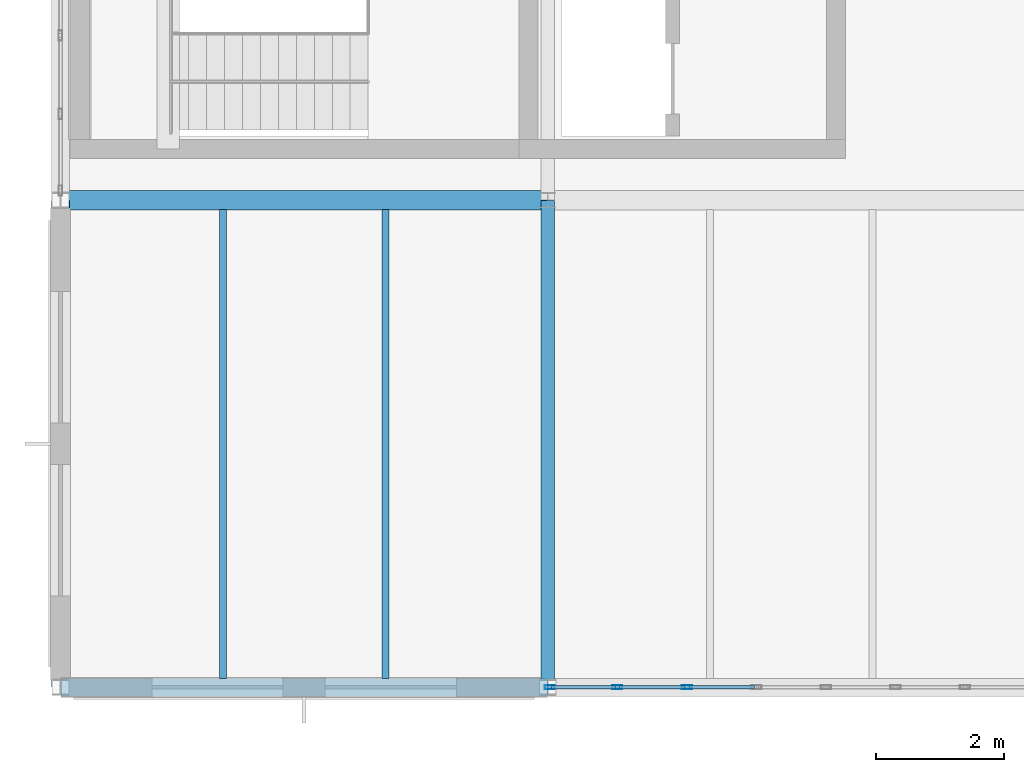
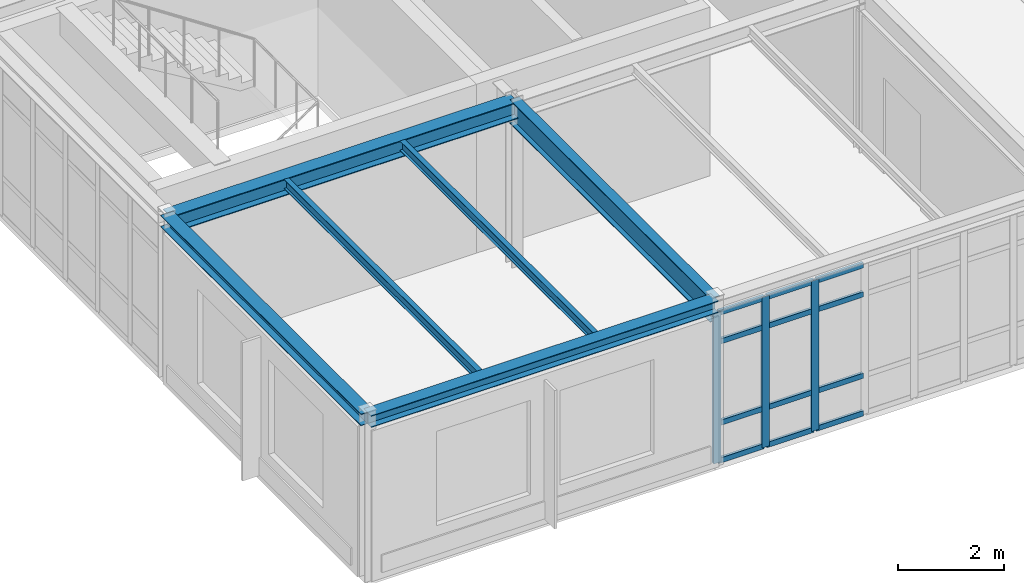
# One storey, part 24 of 189: 15 members, 6 beams, 1 element without a shape of its own.
"""IFC4 building model written with IfcOpenShell, lengths in metres."""

from ifc_helpers import new_model, si_unit, direction, frame, origin, origin_2d, place, context, subcontext, project, spatial, hollow_rectangle, i_section, extrude, material, layer, layer_set, material_profile, profile_set, type_object, element, aggregate, save


model = new_model("IFC4")

# Units and contexts
model_context = context("Model", 3, precision=1e-05, world=origin(), true_north=direction((0.0, 1.0)))
body_context = subcontext(model_context, "Body", "Model", "MODEL_VIEW")
ifc_project = project(units=[si_unit("LENGTHUNIT", "METRE"), si_unit("AREAUNIT", "SQUARE_METRE"), si_unit("VOLUMEUNIT", "CUBIC_METRE"), si_unit("PLANEANGLEUNIT", "RADIAN"), si_unit("MASSUNIT", "GRAM", prefix="KILO")], contexts=[model_context])

# Site, building, storey
site_placement = place(None, origin())
site = spatial("IfcSite", under=ifc_project, at=site_placement, CompositionType="ELEMENT")
building_placement = place(site_placement, origin())
building = spatial("IfcBuilding", under=site, at=building_placement, Name="Montecoro Central Library", CompositionType="ELEMENT")
storey_placement = place(building_placement, frame((0.0, 0.0, 9.179931640625)))
storey = spatial("IfcBuildingStorey", under=building, at=storey_placement, Name="L02", CompositionType="ELEMENT", Elevation=9.179931640625)

# Beams
ifc_material_1 = material(Name="Steel S355", Category="steel")
ifc_material_profile_1 = material_profile(ifc_material_1, i_section(OverallWidth=0.300048828125, OverallDepth=0.389892578125, WebThickness=0.010986328125, FlangeThickness=0.01904296875, at=origin_2d()), Name="HEA 400")
ifc_profile_set_1 = profile_set([ifc_material_profile_1], Name="Steel S355")
beam_type_1 = type_object("IfcBeamType", Name="BM-G-HEA400", PredefinedType="USERDEFINED", material=ifc_profile_set_1)
beam_1_placement = place(storey_placement, frame((5.0048828125, 12.60009765625, 3.630126953125), z_axis=(1.0, 0.0, 0.0), x_axis=(0.0, 1.0, 0.0)))
element("IfcBeam", 1, at=beam_1_placement, inside=storey, type_object=beam_type_1, Name="V3-L02-BX-12-B", ObjectType="GIRDER", PredefinedType="USERDEFINED", context=body_context, shape_type="SweptSolid", body=[
    extrude(i_section(OverallWidth=0.300048828125, OverallDepth=0.389892578125, WebThickness=0.010986328125, FlangeThickness=0.01904296875, at=origin_2d()), origin(), (0.0, 0.0, 1.0), 7.590087890625),
])
ifc_material_2 = material(Name="Steel S355J2", Category="steel")
ifc_material_profile_2 = material_profile(ifc_material_2, i_section(OverallWidth=0.2099609375, OverallDepth=0.550048828125, WebThickness=0.010986328125, FlangeThickness=0.01708984375, at=origin_2d()), Name="IPE 550")
ifc_profile_set_2 = profile_set([ifc_material_profile_2], Name="Steel S355J2")
beam_type_2 = type_object("IfcBeamType", Name="BM-G-IPE550", PredefinedType="USERDEFINED", material=ifc_profile_set_2)
beam_2_placement = place(storey_placement, frame((12.60009765625, 5.0048828125, 3.550048828125), z_axis=(0.0, 1.0, 0.0), x_axis=(-1.0, 0.0, 0.0)))
element("IfcBeam", 2, at=beam_2_placement, inside=storey, type_object=beam_type_2, Name="V3-L02-BY-2-AB", ObjectType="GIRDER", PredefinedType="USERDEFINED", context=body_context, shape_type="SweptSolid", body=[
    extrude(i_section(OverallWidth=0.2099609375, OverallDepth=0.550048828125, WebThickness=0.010986328125, FlangeThickness=0.01708984375, at=origin_2d()), origin(), (0.0, 0.0, 1.0), 7.590087890625),
])
ifc_material_profile_3 = material_profile(ifc_material_1, i_section(OverallWidth=0.110107421875, OverallDepth=0.219970703125, WebThickness=0.005859375, FlangeThickness=0.00927734375, at=origin_2d()), Name="IPE 220")
ifc_profile_set_3 = profile_set([ifc_material_profile_3], Name="Steel S355")
beam_type_3 = type_object("IfcBeamType", Name="BM-J-IPE220", PredefinedType="JOIST", material=ifc_profile_set_3)
for number, where, z_axis, x_axis, name in (
    (3, (7.532958984375, 5.136962890625, 3.715087890625), (0.0, 1.0, 0.0), (-1.0, 0.0, 0.0), "V3-L02-JS-12-AB-1"),
    (4, (10.06689453125, 5.136962890625, 3.715087890625), (0.0, 1.0, 0.0), (-1.0, 0.0, 0.0), "V3-L02-JS-12-AB-2"),
):
    element("IfcBeam", number, at=place(storey_placement, frame(where, z_axis=z_axis, x_axis=x_axis)), inside=storey, type_object=beam_type_3, Name=name, PredefinedType="JOIST", context=body_context, shape_type="SweptSolid", body=[
        extrude(i_section(OverallWidth=0.110107421875, OverallDepth=0.219970703125, WebThickness=0.005859375, FlangeThickness=0.00927734375, at=origin_2d()), origin(), (0.0, 0.0, 1.0), 7.31591796875),
    ])
ifc_material_profile_4 = material_profile(ifc_material_1, i_section(OverallWidth=0.280029296875, OverallDepth=0.27001953125, WebThickness=0.008056640625, FlangeThickness=0.012939453125, at=origin_2d()), Name="HEA 280")
ifc_profile_set_4 = profile_set([ifc_material_profile_4], Name="Steel S355")
beam_type_4 = type_object("IfcBeamType", Name="BM-SP-HEA280", PredefinedType="SPANDREL", material=ifc_profile_set_4)
for number, where, z_axis, x_axis, name in (
    (5, (5.0048828125, 5.0, 3.690185546875), (1.0, 0.0, 0.0), (0.0, 1.0, 0.0), "V3-L02-BX-12-A"),
    (6, (5.0, 5.0048828125, 3.690185546875), (0.0, 1.0, 0.0), (-1.0, 0.0, 0.0), "V3-L02-BY-1-AB"),
):
    element("IfcBeam", number, at=place(storey_placement, frame(where, z_axis=z_axis, x_axis=x_axis)), inside=storey, type_object=beam_type_4, Name=name, PredefinedType="SPANDREL", context=body_context, shape_type="SweptSolid", body=[
        extrude(i_section(OverallWidth=0.280029296875, OverallDepth=0.27001953125, WebThickness=0.008056640625, FlangeThickness=0.012939453125, at=origin_2d()), origin(), (0.0, 0.0, 1.0), 7.590087890625),
    ])

# Curtain wall, members
ifc_material_3 = material(Name="Bronze-anodised aluminium and low-E glazing", Category="aluminium")
ifc_layer = layer(ifc_material_3, 0.159912109375)
ifc_layer_set = layer_set([ifc_layer], Name="Bronze-anodised aluminium and low-E glazing")
curtain_wall_type = type_object("IfcCurtainWallType", Name="CWT-033", PredefinedType="NOTDEFINED", material=ifc_layer_set)
curtain_wall_placement = place(storey_placement, origin())
curtain_wall = element("IfcCurtainWall", 7, at=curtain_wall_placement, inside=storey, type_object=curtain_wall_type, Name="V3-L02-CW-S1", PredefinedType="NOTDEFINED")
ifc_material_4 = material(Name="Bronze-anodised aluminium", Category="aluminium")
ifc_material_profile_5 = material_profile(ifc_material_4, hollow_rectangle(XDim=0.06005859375, YDim=0.159912109375, WallThickness=0.00390625, at=origin_2d()), Name="CWM 160x60x4.0")
ifc_profile_set_5 = profile_set([ifc_material_profile_5], Name="Bronze-anodised aluminium")
member_type_1 = type_object("IfcMemberType", Name="CWM-BRZ-60", PredefinedType="MULLION", material=ifc_profile_set_5)
member_1_placement = place(storey_placement, frame((12.634033203125, 5.0, 0.0), z_axis=(0.0, 0.0, 1.0), x_axis=(0.0, 1.0, 0.0)))
member_1 = element("IfcMember", 8, at=member_1_placement, type_object=member_type_1, Name="CW-033 mullion 1", PredefinedType="MULLION", context=body_context, shape_type="SweptSolid", body=[
    extrude(hollow_rectangle(XDim=0.06005859375, YDim=0.159912109375, WallThickness=0.00390625, at=origin_2d()), origin(), (0.0, 0.0, 1.0), 3.47998046875),
])
member_2_placement = place(storey_placement, frame((13.6884765625, 5.0, 0.0), z_axis=(0.0, 0.0, 1.0), x_axis=(0.0, 1.0, 0.0)))
member_2 = element("IfcMember", 9, at=member_2_placement, type_object=member_type_1, Name="CW-033 mullion 2", PredefinedType="MULLION", context=body_context, shape_type="SweptSolid", body=[
    extrude(hollow_rectangle(XDim=0.06005859375, YDim=0.159912109375, WallThickness=0.00390625, at=origin_2d()), origin(), (0.0, 0.0, 1.0), 3.47998046875),
])
member_3_placement = place(storey_placement, frame((14.773193359375, 5.0, 0.0), z_axis=(0.0, 0.0, 1.0), x_axis=(0.0, 1.0, 0.0)))
member_3 = element("IfcMember", 10, at=member_3_placement, type_object=member_type_1, Name="CW-033 mullion 3", PredefinedType="MULLION", context=body_context, shape_type="SweptSolid", body=[
    extrude(hollow_rectangle(XDim=0.06005859375, YDim=0.159912109375, WallThickness=0.00390625, at=origin_2d()), origin(), (0.0, 0.0, 1.0), 3.47998046875),
])
ifc_material_profile_6 = material_profile(ifc_material_4, hollow_rectangle(XDim=0.06005859375, YDim=0.1201171875, WallThickness=0.00390625, at=origin_2d()), Name="CWT 120x60x4.0")
ifc_profile_set_6 = profile_set([ifc_material_profile_6], Name="Bronze-anodised aluminium")
member_type_2 = type_object("IfcMemberType", Name="CWT-BRZ-60", PredefinedType="USERDEFINED", material=ifc_profile_set_6)
member_4_placement = place(storey_placement, frame((12.6640625, 5.0, 0.030029296875), z_axis=(1.0, 0.0, 0.0), x_axis=(0.0, 1.0, 0.0)))
member_4 = element("IfcMember", 11, at=member_4_placement, type_object=member_type_2, Name="CW-033 transom 1.1", ObjectType="TRANSOM", PredefinedType="USERDEFINED", context=body_context, shape_type="SweptSolid", body=[
    extrude(hollow_rectangle(XDim=0.06005859375, YDim=0.1201171875, WallThickness=0.00390625, at=origin_2d()), origin(), (0.0, 0.0, 1.0), 0.99462890625),
])
member_5_placement = place(storey_placement, frame((12.6640625, 5.0, 0.900146484375), z_axis=(1.0, 0.0, 0.0), x_axis=(0.0, 1.0, 0.0)))
member_5 = element("IfcMember", 12, at=member_5_placement, type_object=member_type_2, Name="CW-033 transom 1.2", ObjectType="TRANSOM", PredefinedType="USERDEFINED", context=body_context, shape_type="SweptSolid", body=[
    extrude(hollow_rectangle(XDim=0.06005859375, YDim=0.1201171875, WallThickness=0.00390625, at=origin_2d()), origin(), (0.0, 0.0, 1.0), 0.99462890625),
])
member_6_placement = place(storey_placement, frame((12.6640625, 5.0, 2.780029296875), z_axis=(1.0, 0.0, 0.0), x_axis=(0.0, 1.0, 0.0)))
member_6 = element("IfcMember", 13, at=member_6_placement, type_object=member_type_2, Name="CW-033 transom 1.3", ObjectType="TRANSOM", PredefinedType="USERDEFINED", context=body_context, shape_type="SweptSolid", body=[
    extrude(hollow_rectangle(XDim=0.06005859375, YDim=0.1201171875, WallThickness=0.00390625, at=origin_2d()), origin(), (0.0, 0.0, 1.0), 0.99462890625),
])
member_7_placement = place(storey_placement, frame((12.6640625, 5.0, 3.449951171875), z_axis=(1.0, 0.0, 0.0), x_axis=(0.0, 1.0, 0.0)))
member_7 = element("IfcMember", 14, at=member_7_placement, type_object=member_type_2, Name="CW-033 transom 1.4", ObjectType="TRANSOM", PredefinedType="USERDEFINED", context=body_context, shape_type="SweptSolid", body=[
    extrude(hollow_rectangle(XDim=0.06005859375, YDim=0.1201171875, WallThickness=0.00390625, at=origin_2d()), origin(), (0.0, 0.0, 1.0), 0.99462890625),
])
member_8_placement = place(storey_placement, frame((13.718505859375, 5.0, 0.030029296875), z_axis=(1.0, 0.0, 0.0), x_axis=(0.0, 1.0, 0.0)))
member_8 = element("IfcMember", 15, at=member_8_placement, type_object=member_type_2, Name="CW-033 transom 2.1", ObjectType="TRANSOM", PredefinedType="USERDEFINED", context=body_context, shape_type="SweptSolid", body=[
    extrude(hollow_rectangle(XDim=0.06005859375, YDim=0.1201171875, WallThickness=0.00390625, at=origin_2d()), origin(), (0.0, 0.0, 1.0), 1.024658203125),
])
member_9_placement = place(storey_placement, frame((13.718505859375, 5.0, 0.900146484375), z_axis=(1.0, 0.0, 0.0), x_axis=(0.0, 1.0, 0.0)))
member_9 = element("IfcMember", 16, at=member_9_placement, type_object=member_type_2, Name="CW-033 transom 2.2", ObjectType="TRANSOM", PredefinedType="USERDEFINED", context=body_context, shape_type="SweptSolid", body=[
    extrude(hollow_rectangle(XDim=0.06005859375, YDim=0.1201171875, WallThickness=0.00390625, at=origin_2d()), origin(), (0.0, 0.0, 1.0), 1.024658203125),
])
member_10_placement = place(storey_placement, frame((13.718505859375, 5.0, 2.780029296875), z_axis=(1.0, 0.0, 0.0), x_axis=(0.0, 1.0, 0.0)))
member_10 = element("IfcMember", 17, at=member_10_placement, type_object=member_type_2, Name="CW-033 transom 2.3", ObjectType="TRANSOM", PredefinedType="USERDEFINED", context=body_context, shape_type="SweptSolid", body=[
    extrude(hollow_rectangle(XDim=0.06005859375, YDim=0.1201171875, WallThickness=0.00390625, at=origin_2d()), origin(), (0.0, 0.0, 1.0), 1.024658203125),
])
member_11_placement = place(storey_placement, frame((13.718505859375, 5.0, 3.449951171875), z_axis=(1.0, 0.0, 0.0), x_axis=(0.0, 1.0, 0.0)))
member_11 = element("IfcMember", 18, at=member_11_placement, type_object=member_type_2, Name="CW-033 transom 2.4", ObjectType="TRANSOM", PredefinedType="USERDEFINED", context=body_context, shape_type="SweptSolid", body=[
    extrude(hollow_rectangle(XDim=0.06005859375, YDim=0.1201171875, WallThickness=0.00390625, at=origin_2d()), origin(), (0.0, 0.0, 1.0), 1.024658203125),
])
member_12_placement = place(storey_placement, frame((14.80322265625, 5.0, 0.030029296875), z_axis=(1.0, 0.0, 0.0), x_axis=(0.0, 1.0, 0.0)))
member_12 = element("IfcMember", 19, at=member_12_placement, type_object=member_type_2, Name="CW-033 transom 3.1", ObjectType="TRANSOM", PredefinedType="USERDEFINED", context=body_context, shape_type="SweptSolid", body=[
    extrude(hollow_rectangle(XDim=0.06005859375, YDim=0.1201171875, WallThickness=0.00390625, at=origin_2d()), origin(), (0.0, 0.0, 1.0), 1.0244140625),
])
member_13_placement = place(storey_placement, frame((14.80322265625, 5.0, 0.900146484375), z_axis=(1.0, 0.0, 0.0), x_axis=(0.0, 1.0, 0.0)))
member_13 = element("IfcMember", 20, at=member_13_placement, type_object=member_type_2, Name="CW-033 transom 3.2", ObjectType="TRANSOM", PredefinedType="USERDEFINED", context=body_context, shape_type="SweptSolid", body=[
    extrude(hollow_rectangle(XDim=0.06005859375, YDim=0.1201171875, WallThickness=0.00390625, at=origin_2d()), origin(), (0.0, 0.0, 1.0), 1.0244140625),
])
member_14_placement = place(storey_placement, frame((14.80322265625, 5.0, 2.780029296875), z_axis=(1.0, 0.0, 0.0), x_axis=(0.0, 1.0, 0.0)))
member_14 = element("IfcMember", 21, at=member_14_placement, type_object=member_type_2, Name="CW-033 transom 3.3", ObjectType="TRANSOM", PredefinedType="USERDEFINED", context=body_context, shape_type="SweptSolid", body=[
    extrude(hollow_rectangle(XDim=0.06005859375, YDim=0.1201171875, WallThickness=0.00390625, at=origin_2d()), origin(), (0.0, 0.0, 1.0), 1.0244140625),
])
member_15_placement = place(storey_placement, frame((14.80322265625, 5.0, 3.449951171875), z_axis=(1.0, 0.0, 0.0), x_axis=(0.0, 1.0, 0.0)))
member_15 = element("IfcMember", 22, at=member_15_placement, type_object=member_type_2, Name="CW-033 transom 3.4", ObjectType="TRANSOM", PredefinedType="USERDEFINED", context=body_context, shape_type="SweptSolid", body=[
    extrude(hollow_rectangle(XDim=0.06005859375, YDim=0.1201171875, WallThickness=0.00390625, at=origin_2d()), origin(), (0.0, 0.0, 1.0), 1.0244140625),
])
aggregate(curtain_wall, [member_1, member_2, member_3, member_4, member_5, member_6, member_7, member_8, member_9, member_10, member_11, member_12, member_13, member_14, member_15])

save(model, "model.ifc")
